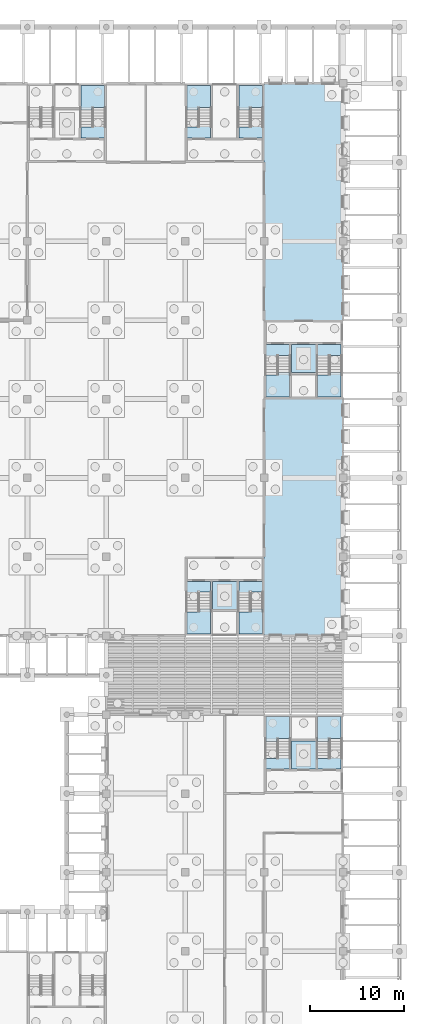
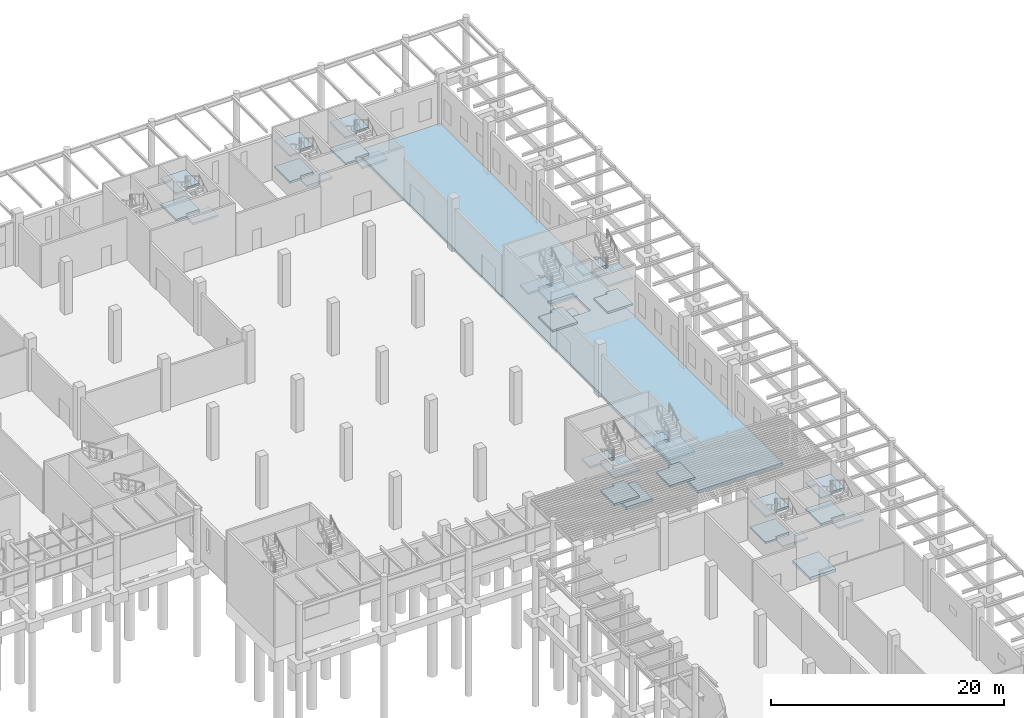
# One storey, part 24 of 82: 31 slabs, 9 elements without a shape of their own.
"""IFC4 building model written with IfcOpenShell, lengths in metres."""

from ifc_helpers import new_model, si_unit, direction, frame, origin, place, context, subcontext, project, spatial, polyline, outline, extrude, material, layer, layer_set, type_object, element, aggregate, save


model = new_model("IFC4")

# Units and contexts
model_context = context("Model", 3, precision=1e-05, world=origin(), true_north=direction((0.0, 1.0)))
body_context = subcontext(model_context, "Body", "Model", "MODEL_VIEW")
ifc_project = project(units=[si_unit("LENGTHUNIT", "METRE"), si_unit("AREAUNIT", "SQUARE_METRE"), si_unit("VOLUMEUNIT", "CUBIC_METRE"), si_unit("PLANEANGLEUNIT", "RADIAN"), si_unit("MASSUNIT", "GRAM", prefix="KILO")], contexts=[model_context])

# Site, building, storey
site_placement = place(None, origin())
site = spatial("IfcSite", under=ifc_project, at=site_placement, CompositionType="ELEMENT")
building_placement = place(site_placement, origin())
building = spatial("IfcBuilding", under=site, at=building_placement, Name="Almond Square Museum", CompositionType="ELEMENT")
storey_placement = place(building_placement, origin())
storey = spatial("IfcBuildingStorey", under=building, at=storey_placement, Name="L00", CompositionType="ELEMENT", Elevation=0.0)

# Stair, slabs
ifc_material_1 = material(Name="Concrete C40/50", Category="concrete")
stair_type = type_object("IfcStairType", Name="Exit stair 32 risers of 172 mm", PredefinedType="HALF_TURN_STAIR", material=ifc_material_1)
stair_1_placement = place(storey_placement, origin())
stair_1 = element("IfcStair", 1, at=stair_1_placement, inside=storey, type_object=stair_type, Name="L00 stair H2-1", PredefinedType="HALF_TURN_STAIR")
ifc_material_2 = material(Name="Concrete C40/50", Category="concrete")
ifc_layer_1 = layer(ifc_material_2, 0.199951171875)
ifc_layer_set_1 = layer_set([ifc_layer_1], Name="Concrete C40/50")
slab_type_1 = type_object("IfcSlabType", Name="Concrete stair landing 200", PredefinedType="LANDING", material=ifc_layer_set_1)
slab_1_placement = place(storey_placement, frame((0.0, 0.0, 1.175048828125)))
slab_1 = element("IfcSlab", 2, at=slab_1_placement, type_object=slab_type_1, Name="ST-03 landing 1", PredefinedType="LANDING", context=body_context, shape_type="SweptSolid", body=[
    extrude(outline(polyline([(140.60009765625, 52.952880859375), (140.60009765625, 50.60009765625), (143.10009765625, 50.60009765625), (143.10009765625, 53.25), (141.949951171875, 53.25), (141.949951171875, 52.952880859375), (140.60009765625, 52.952880859375)])), origin(), (0.0, 0.0, 1.0), 0.199951171875),
])
slab_2_placement = place(storey_placement, frame((0.0, 0.0, 2.550048828125)))
slab_2 = element("IfcSlab", 3, at=slab_2_placement, type_object=slab_type_1, Name="ST-03 landing 2", PredefinedType="LANDING", context=body_context, shape_type="SweptSolid", body=[
    extrude(outline(polyline([(140.60009765625, 56.199951171875), (140.60009765625, 55.050048828125), (140.60009765625, 54.75), (141.75, 54.75), (141.75, 55.047119140625), (143.10009765625, 55.047119140625), (143.10009765625, 56.199951171875), (140.60009765625, 56.199951171875)])), origin(), (0.0, 0.0, 1.0), 0.199951171875),
])
slab_3_placement = place(storey_placement, frame((0.0, 0.0, 3.925048828125)))
slab_3 = element("IfcSlab", 4, at=slab_3_placement, type_object=slab_type_1, Name="ST-03 landing 3", PredefinedType="LANDING", context=body_context, shape_type="SweptSolid", body=[
    extrude(outline(polyline([(140.60009765625, 52.952880859375), (140.60009765625, 50.60009765625), (143.10009765625, 50.60009765625), (143.10009765625, 53.25), (141.949951171875, 53.25), (141.949951171875, 52.952880859375), (140.60009765625, 52.952880859375)])), origin(), (0.0, 0.0, 1.0), 0.199951171875),
])
aggregate(stair_1, [slab_1, slab_2, slab_3])

stair_2_placement = place(storey_placement, origin())
stair_2 = element("IfcStair", 5, at=stair_2_placement, inside=storey, type_object=stair_type, Name="L00 stair H2-2", PredefinedType="HALF_TURN_STAIR")
slab_4_placement = place(storey_placement, frame((0.0, 0.0, 1.175048828125)))
slab_4 = element("IfcSlab", 6, at=slab_4_placement, type_object=slab_type_1, Name="ST-04 landing 1", PredefinedType="LANDING", context=body_context, shape_type="SweptSolid", body=[
    extrude(outline(polyline([(146.10009765625, 52.952880859375), (146.10009765625, 50.60009765625), (148.60009765625, 50.60009765625), (148.60009765625, 53.25), (147.449951171875, 53.25), (147.449951171875, 52.952880859375), (146.10009765625, 52.952880859375)])), origin(), (0.0, 0.0, 1.0), 0.199951171875),
])
slab_5_placement = place(storey_placement, frame((0.0, 0.0, 2.550048828125)))
slab_5 = element("IfcSlab", 7, at=slab_5_placement, type_object=slab_type_1, Name="ST-04 landing 2", PredefinedType="LANDING", context=body_context, shape_type="SweptSolid", body=[
    extrude(outline(polyline([(146.10009765625, 56.199951171875), (146.10009765625, 55.050048828125), (146.10009765625, 54.75), (147.25, 54.75), (147.25, 55.047119140625), (148.60009765625, 55.047119140625), (148.60009765625, 56.199951171875), (146.10009765625, 56.199951171875)])), origin(), (0.0, 0.0, 1.0), 0.199951171875),
])
slab_6_placement = place(storey_placement, frame((0.0, 0.0, 3.925048828125)))
slab_6 = element("IfcSlab", 8, at=slab_6_placement, type_object=slab_type_1, Name="ST-04 landing 3", PredefinedType="LANDING", context=body_context, shape_type="SweptSolid", body=[
    extrude(outline(polyline([(146.10009765625, 52.952880859375), (146.10009765625, 50.60009765625), (148.60009765625, 50.60009765625), (148.60009765625, 53.25), (147.449951171875, 53.25), (147.449951171875, 52.952880859375), (146.10009765625, 52.952880859375)])), origin(), (0.0, 0.0, 1.0), 0.199951171875),
])
aggregate(stair_2, [slab_4, slab_5, slab_6])

stair_3_placement = place(storey_placement, origin())
stair_3 = element("IfcStair", 9, at=stair_3_placement, inside=storey, type_object=stair_type, Name="L00 stair H3-1", PredefinedType="HALF_TURN_STAIR")
slab_7_placement = place(storey_placement, frame((0.0, 0.0, 1.175048828125)))
slab_7 = element("IfcSlab", 10, at=slab_7_placement, type_object=slab_type_1, Name="ST-05 landing 1", PredefinedType="LANDING", context=body_context, shape_type="SweptSolid", body=[
    extrude(outline(polyline([(143.10009765625, 106.64697265625), (143.10009765625, 109.0), (140.60009765625, 109.0), (140.60009765625, 106.35009765625), (141.75, 106.35009765625), (141.75, 106.64697265625), (143.10009765625, 106.64697265625)])), origin(), (0.0, 0.0, 1.0), 0.199951171875),
])
slab_8_placement = place(storey_placement, frame((0.0, 0.0, 2.550048828125)))
slab_8 = element("IfcSlab", 11, at=slab_8_placement, type_object=slab_type_1, Name="ST-05 landing 2", PredefinedType="LANDING", context=body_context, shape_type="SweptSolid", body=[
    extrude(outline(polyline([(143.10009765625, 103.39990234375), (143.10009765625, 104.550048828125), (143.10009765625, 104.85009765625), (141.949951171875, 104.85009765625), (141.949951171875, 104.552978515625), (140.60009765625, 104.552978515625), (140.60009765625, 103.39990234375), (143.10009765625, 103.39990234375)])), origin(), (0.0, 0.0, 1.0), 0.199951171875),
])
slab_9_placement = place(storey_placement, frame((0.0, 0.0, 3.925048828125)))
slab_9 = element("IfcSlab", 12, at=slab_9_placement, type_object=slab_type_1, Name="ST-05 landing 3", PredefinedType="LANDING", context=body_context, shape_type="SweptSolid", body=[
    extrude(outline(polyline([(143.10009765625, 106.64697265625), (143.10009765625, 109.0), (140.60009765625, 109.0), (140.60009765625, 106.35009765625), (141.75, 106.35009765625), (141.75, 106.64697265625), (143.10009765625, 106.64697265625)])), origin(), (0.0, 0.0, 1.0), 0.199951171875),
])
aggregate(stair_3, [slab_7, slab_8, slab_9])

stair_4_placement = place(storey_placement, origin())
stair_4 = element("IfcStair", 13, at=stair_4_placement, inside=storey, type_object=stair_type, Name="L00 stair H3-2", PredefinedType="HALF_TURN_STAIR")
slab_10_placement = place(storey_placement, frame((0.0, 0.0, 1.175048828125)))
slab_10 = element("IfcSlab", 14, at=slab_10_placement, type_object=slab_type_1, Name="ST-06 landing 1", PredefinedType="LANDING", context=body_context, shape_type="SweptSolid", body=[
    extrude(outline(polyline([(148.60009765625, 106.64697265625), (148.60009765625, 109.0), (146.10009765625, 109.0), (146.10009765625, 106.35009765625), (147.25, 106.35009765625), (147.25, 106.64697265625), (148.60009765625, 106.64697265625)])), origin(), (0.0, 0.0, 1.0), 0.199951171875),
])
slab_11_placement = place(storey_placement, frame((0.0, 0.0, 2.550048828125)))
slab_11 = element("IfcSlab", 15, at=slab_11_placement, type_object=slab_type_1, Name="ST-06 landing 2", PredefinedType="LANDING", context=body_context, shape_type="SweptSolid", body=[
    extrude(outline(polyline([(148.60009765625, 103.39990234375), (148.60009765625, 104.550048828125), (148.60009765625, 104.85009765625), (147.449951171875, 104.85009765625), (147.449951171875, 104.552978515625), (146.10009765625, 104.552978515625), (146.10009765625, 103.39990234375), (148.60009765625, 103.39990234375)])), origin(), (0.0, 0.0, 1.0), 0.199951171875),
])
slab_12_placement = place(storey_placement, frame((0.0, 0.0, 3.925048828125)))
slab_12 = element("IfcSlab", 16, at=slab_12_placement, type_object=slab_type_1, Name="ST-06 landing 3", PredefinedType="LANDING", context=body_context, shape_type="SweptSolid", body=[
    extrude(outline(polyline([(148.60009765625, 106.64697265625), (148.60009765625, 109.0), (146.10009765625, 109.0), (146.10009765625, 106.35009765625), (147.25, 106.35009765625), (147.25, 106.64697265625), (148.60009765625, 106.64697265625)])), origin(), (0.0, 0.0, 1.0), 0.199951171875),
])
aggregate(stair_4, [slab_10, slab_11, slab_12])

stair_5_placement = place(storey_placement, origin())
stair_5 = element("IfcStair", 17, at=stair_5_placement, inside=storey, type_object=stair_type, Name="L00 stair H4-2", PredefinedType="HALF_TURN_STAIR")
slab_13_placement = place(storey_placement, frame((0.0, 0.0, 1.175048828125)))
slab_13 = element("IfcSlab", 18, at=slab_13_placement, type_object=slab_type_1, Name="ST-08 landing 1", PredefinedType="LANDING", context=body_context, shape_type="SweptSolid", body=[
    extrude(outline(polyline([(131.800048828125, 106.64697265625), (131.800048828125, 109.0), (129.300048828125, 109.0), (129.300048828125, 106.35009765625), (130.449951171875, 106.35009765625), (130.449951171875, 106.64697265625), (131.800048828125, 106.64697265625)])), origin(), (0.0, 0.0, 1.0), 0.199951171875),
])
slab_14_placement = place(storey_placement, frame((0.0, 0.0, 2.550048828125)))
slab_14 = element("IfcSlab", 19, at=slab_14_placement, type_object=slab_type_1, Name="ST-08 landing 2", PredefinedType="LANDING", context=body_context, shape_type="SweptSolid", body=[
    extrude(outline(polyline([(131.800048828125, 103.39990234375), (131.800048828125, 104.550048828125), (131.800048828125, 104.85009765625), (130.64990234375, 104.85009765625), (130.64990234375, 104.552978515625), (129.300048828125, 104.552978515625), (129.300048828125, 103.39990234375), (131.800048828125, 103.39990234375)])), origin(), (0.0, 0.0, 1.0), 0.199951171875),
])
slab_15_placement = place(storey_placement, frame((0.0, 0.0, 3.925048828125)))
slab_15 = element("IfcSlab", 20, at=slab_15_placement, type_object=slab_type_1, Name="ST-08 landing 3", PredefinedType="LANDING", context=body_context, shape_type="SweptSolid", body=[
    extrude(outline(polyline([(131.800048828125, 106.64697265625), (131.800048828125, 109.0), (129.300048828125, 109.0), (129.300048828125, 106.35009765625), (130.449951171875, 106.35009765625), (130.449951171875, 106.64697265625), (131.800048828125, 106.64697265625)])), origin(), (0.0, 0.0, 1.0), 0.199951171875),
])
aggregate(stair_5, [slab_13, slab_14, slab_15])

stair_6_placement = place(storey_placement, origin())
stair_6 = element("IfcStair", 21, at=stair_6_placement, inside=storey, type_object=stair_type, Name="L00 stair E1-1", PredefinedType="HALF_TURN_STAIR")
slab_16_placement = place(storey_placement, frame((0.0, 0.0, 1.175048828125)))
slab_16 = element("IfcSlab", 22, at=slab_16_placement, type_object=slab_type_1, Name="ST-25 landing 1", PredefinedType="LANDING", context=body_context, shape_type="SweptSolid", body=[
    extrude(outline(polyline([(149.0, 78.153076171875), (149.0, 75.800048828125), (151.5, 75.800048828125), (151.5, 78.449951171875), (150.35009765625, 78.449951171875), (150.35009765625, 78.153076171875), (149.0, 78.153076171875)])), origin(), (0.0, 0.0, 1.0), 0.199951171875),
])
slab_17_placement = place(storey_placement, frame((0.0, 0.0, 2.550048828125)))
slab_17 = element("IfcSlab", 23, at=slab_17_placement, type_object=slab_type_1, Name="ST-25 landing 2", PredefinedType="LANDING", context=body_context, shape_type="SweptSolid", body=[
    extrude(outline(polyline([(149.0, 81.39990234375), (149.0, 80.25), (149.0, 79.949951171875), (150.14990234375, 79.949951171875), (150.14990234375, 80.2470703125), (151.5, 80.2470703125), (151.5, 81.39990234375), (149.0, 81.39990234375)])), origin(), (0.0, 0.0, 1.0), 0.199951171875),
])
slab_18_placement = place(storey_placement, frame((0.0, 0.0, 3.925048828125)))
slab_18 = element("IfcSlab", 24, at=slab_18_placement, type_object=slab_type_1, Name="ST-25 landing 3", PredefinedType="LANDING", context=body_context, shape_type="SweptSolid", body=[
    extrude(outline(polyline([(149.0, 78.153076171875), (149.0, 75.800048828125), (151.5, 75.800048828125), (151.5, 78.449951171875), (150.35009765625, 78.449951171875), (150.35009765625, 78.153076171875), (149.0, 78.153076171875)])), origin(), (0.0, 0.0, 1.0), 0.199951171875),
])
aggregate(stair_6, [slab_16, slab_17, slab_18])

stair_7_placement = place(storey_placement, origin())
stair_7 = element("IfcStair", 25, at=stair_7_placement, inside=storey, type_object=stair_type, Name="L00 stair E1-2", PredefinedType="HALF_TURN_STAIR")
slab_19_placement = place(storey_placement, frame((0.0, 0.0, 1.175048828125)))
slab_19 = element("IfcSlab", 26, at=slab_19_placement, type_object=slab_type_1, Name="ST-26 landing 1", PredefinedType="LANDING", context=body_context, shape_type="SweptSolid", body=[
    extrude(outline(polyline([(154.5, 78.153076171875), (154.5, 75.800048828125), (157.0, 75.800048828125), (157.0, 78.449951171875), (155.85009765625, 78.449951171875), (155.85009765625, 78.153076171875), (154.5, 78.153076171875)])), origin(), (0.0, 0.0, 1.0), 0.199951171875),
])
slab_20_placement = place(storey_placement, frame((0.0, 0.0, 2.550048828125)))
slab_20 = element("IfcSlab", 27, at=slab_20_placement, type_object=slab_type_1, Name="ST-26 landing 2", PredefinedType="LANDING", context=body_context, shape_type="SweptSolid", body=[
    extrude(outline(polyline([(154.5, 81.39990234375), (154.5, 80.25), (154.5, 79.949951171875), (155.64990234375, 79.949951171875), (155.64990234375, 80.2470703125), (157.0, 80.2470703125), (157.0, 81.39990234375), (154.5, 81.39990234375)])), origin(), (0.0, 0.0, 1.0), 0.199951171875),
])
slab_21_placement = place(storey_placement, frame((0.0, 0.0, 3.925048828125)))
slab_21 = element("IfcSlab", 28, at=slab_21_placement, type_object=slab_type_1, Name="ST-26 landing 3", PredefinedType="LANDING", context=body_context, shape_type="SweptSolid", body=[
    extrude(outline(polyline([(154.5, 78.153076171875), (154.5, 75.800048828125), (157.0, 75.800048828125), (157.0, 78.449951171875), (155.85009765625, 78.449951171875), (155.85009765625, 78.153076171875), (154.5, 78.153076171875)])), origin(), (0.0, 0.0, 1.0), 0.199951171875),
])
aggregate(stair_7, [slab_19, slab_20, slab_21])

stair_8_placement = place(storey_placement, origin())
stair_8 = element("IfcStair", 29, at=stair_8_placement, inside=storey, type_object=stair_type, Name="L00 stair X1-1", PredefinedType="HALF_TURN_STAIR")
slab_22_placement = place(storey_placement, frame((0.0, 0.0, 1.175048828125)))
slab_22 = element("IfcSlab", 30, at=slab_22_placement, type_object=slab_type_1, Name="ST-33 landing 1", PredefinedType="LANDING", context=body_context, shape_type="SweptSolid", body=[
    extrude(outline(polyline([(151.5, 39.447021484375), (151.5, 41.800048828125), (149.0, 41.800048828125), (149.0, 39.14990234375), (150.14990234375, 39.14990234375), (150.14990234375, 39.447021484375), (151.5, 39.447021484375)])), origin(), (0.0, 0.0, 1.0), 0.199951171875),
])
slab_23_placement = place(storey_placement, frame((0.0, 0.0, 2.550048828125)))
slab_23 = element("IfcSlab", 31, at=slab_23_placement, type_object=slab_type_1, Name="ST-33 landing 2", PredefinedType="LANDING", context=body_context, shape_type="SweptSolid", body=[
    extrude(outline(polyline([(151.5, 36.199951171875), (151.5, 37.35009765625), (151.5, 37.64990234375), (150.35009765625, 37.64990234375), (150.35009765625, 37.35302734375), (149.0, 37.35302734375), (149.0, 36.199951171875), (151.5, 36.199951171875)])), origin(), (0.0, 0.0, 1.0), 0.199951171875),
])
slab_24_placement = place(storey_placement, frame((0.0, 0.0, 3.925048828125)))
slab_24 = element("IfcSlab", 32, at=slab_24_placement, type_object=slab_type_1, Name="ST-33 landing 3", PredefinedType="LANDING", context=body_context, shape_type="SweptSolid", body=[
    extrude(outline(polyline([(151.5, 39.447021484375), (151.5, 41.800048828125), (149.0, 41.800048828125), (149.0, 39.14990234375), (150.14990234375, 39.14990234375), (150.14990234375, 39.447021484375), (151.5, 39.447021484375)])), origin(), (0.0, 0.0, 1.0), 0.199951171875),
])
aggregate(stair_8, [slab_22, slab_23, slab_24])

stair_9_placement = place(storey_placement, origin())
stair_9 = element("IfcStair", 33, at=stair_9_placement, inside=storey, type_object=stair_type, Name="L00 stair X1-2", PredefinedType="HALF_TURN_STAIR")
slab_25_placement = place(storey_placement, frame((0.0, 0.0, 1.175048828125)))
slab_25 = element("IfcSlab", 34, at=slab_25_placement, type_object=slab_type_1, Name="ST-34 landing 1", PredefinedType="LANDING", context=body_context, shape_type="SweptSolid", body=[
    extrude(outline(polyline([(157.0, 39.447021484375), (157.0, 41.800048828125), (154.5, 41.800048828125), (154.5, 39.14990234375), (155.64990234375, 39.14990234375), (155.64990234375, 39.447021484375), (157.0, 39.447021484375)])), origin(), (0.0, 0.0, 1.0), 0.199951171875),
])
slab_26_placement = place(storey_placement, frame((0.0, 0.0, 2.550048828125)))
slab_26 = element("IfcSlab", 35, at=slab_26_placement, type_object=slab_type_1, Name="ST-34 landing 2", PredefinedType="LANDING", context=body_context, shape_type="SweptSolid", body=[
    extrude(outline(polyline([(157.0, 36.199951171875), (157.0, 37.35009765625), (157.0, 37.64990234375), (155.85009765625, 37.64990234375), (155.85009765625, 37.35302734375), (154.5, 37.35302734375), (154.5, 36.199951171875), (157.0, 36.199951171875)])), origin(), (0.0, 0.0, 1.0), 0.199951171875),
])
slab_27_placement = place(storey_placement, frame((0.0, 0.0, 3.925048828125)))
slab_27 = element("IfcSlab", 36, at=slab_27_placement, type_object=slab_type_1, Name="ST-34 landing 3", PredefinedType="LANDING", context=body_context, shape_type="SweptSolid", body=[
    extrude(outline(polyline([(157.0, 39.447021484375), (157.0, 41.800048828125), (154.5, 41.800048828125), (154.5, 39.14990234375), (155.64990234375, 39.14990234375), (155.64990234375, 39.447021484375), (157.0, 39.447021484375)])), origin(), (0.0, 0.0, 1.0), 0.199951171875),
])
aggregate(stair_9, [slab_25, slab_26, slab_27])

# Slabs
ifc_material_3 = material(Name="Concrete C35/45", Category="concrete")
ifc_layer_2 = layer(ifc_material_3, 0.300048828125)
ifc_layer_set_2 = layer_set([ifc_layer_2], Name="Concrete C35/45")
slab_type_2 = type_object("IfcSlabType", Name="RC ground slab 300 C35/45", PredefinedType="BASESLAB", material=ifc_layer_set_2)
slab_28_placement = place(storey_placement, frame((0.0, 0.0, -0.300048828125)))
element("IfcSlab", 37, at=slab_28_placement, inside=storey, type_object=slab_type_2, Name="Ground slab V4E", PredefinedType="BASESLAB", context=body_context, shape_type="SweptSolid", body=[
    extrude(outline(polyline([(157.199951171875, 109.199951171875), (157.199951171875, 50.39990234375), (148.800048828125, 50.39990234375), (148.800048828125, 109.199951171875), (157.199951171875, 109.199951171875)]), holes=[polyline([(154.300048828125, 81.39990234375), (151.699951171875, 81.39990234375), (151.699951171875, 78.39990234375), (154.300048828125, 78.39990234375), (154.300048828125, 81.39990234375)])]), origin(), (0.0, 0.0, 1.0), 0.300048828125),
])
ifc_material_4 = material(Name="Concrete C35/45", Category="concrete")
ifc_layer_3 = layer(ifc_material_4, 0.300048828125)
ifc_layer_set_3 = layer_set([ifc_layer_3], Name="Concrete C35/45")
slab_type_3 = type_object("IfcSlabType", Name="RC lift pit slab 300 C35/45", PredefinedType="BASESLAB", material=ifc_layer_set_3)
slab_29_placement = place(storey_placement, frame((0.0, 0.0, -1.800048828125)))
element("IfcSlab", 38, at=slab_29_placement, inside=storey, type_object=slab_type_3, Name="Lift pit floor PL-E1", PredefinedType="BASESLAB", context=body_context, shape_type="SweptSolid", body=[
    extrude(outline(polyline([(151.699951171875, 78.39990234375), (154.300048828125, 78.39990234375), (154.300048828125, 81.39990234375), (151.699951171875, 81.39990234375), (151.699951171875, 78.39990234375)])), origin(), (0.0, 0.0, 1.0), 0.300048828125),
])
slab_30_placement = place(storey_placement, frame((0.0, 0.0, -1.800048828125)))
element("IfcSlab", 39, at=slab_30_placement, inside=storey, type_object=slab_type_3, Name="Lift pit floor PL-H2", PredefinedType="BASESLAB", context=body_context, shape_type="SweptSolid", body=[
    extrude(outline(polyline([(143.300048828125, 53.199951171875), (145.89990234375, 53.199951171875), (145.89990234375, 56.199951171875), (143.300048828125, 56.199951171875), (143.300048828125, 53.199951171875)])), origin(), (0.0, 0.0, 1.0), 0.300048828125),
])
slab_31_placement = place(storey_placement, frame((0.0, 0.0, -1.800048828125)))
element("IfcSlab", 40, at=slab_31_placement, inside=storey, type_object=slab_type_3, Name="Lift pit floor PL-X1", PredefinedType="BASESLAB", context=body_context, shape_type="SweptSolid", body=[
    extrude(outline(polyline([(151.699951171875, 36.199951171875), (154.300048828125, 36.199951171875), (154.300048828125, 39.199951171875), (151.699951171875, 39.199951171875), (151.699951171875, 36.199951171875)])), origin(), (0.0, 0.0, 1.0), 0.300048828125),
])

save(model, "model.ifc")
